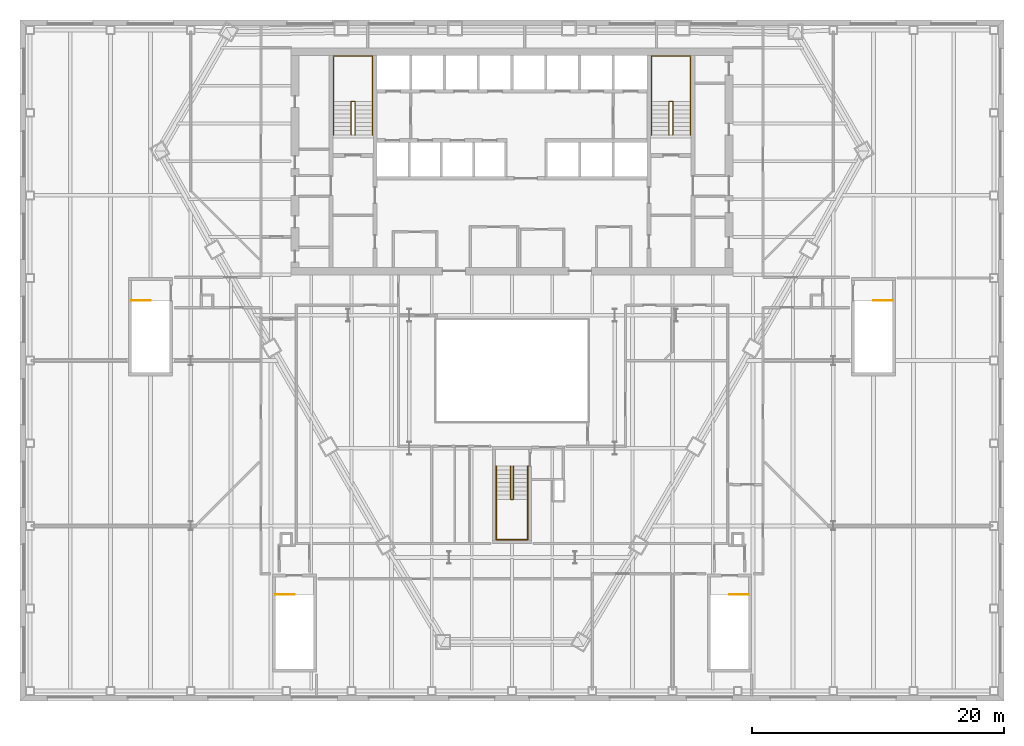
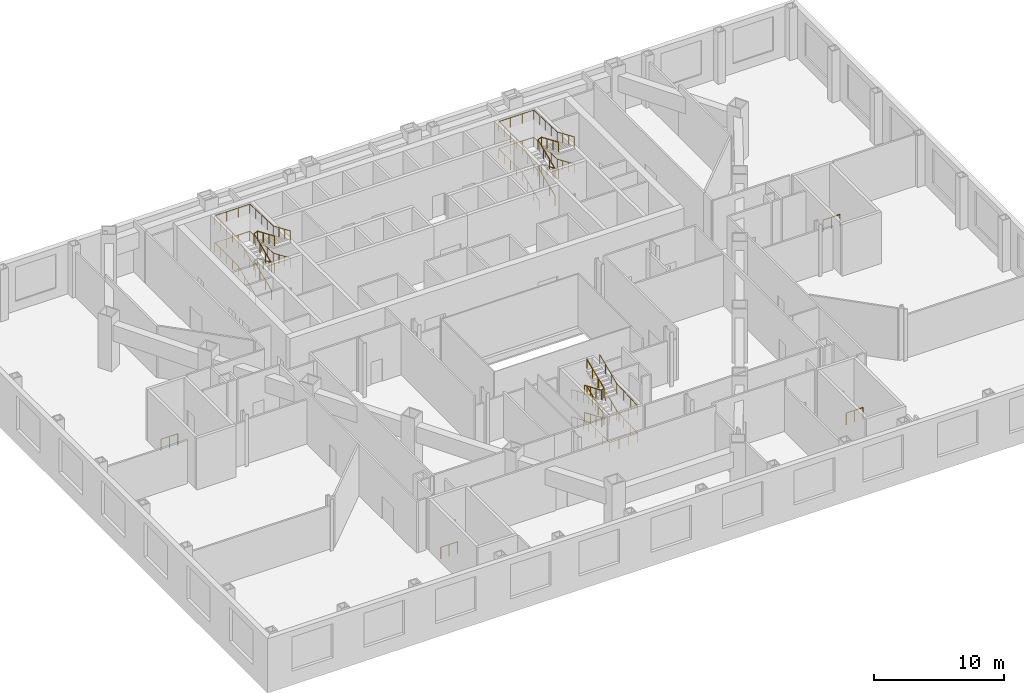
# One storey, part 17 of 17: 16 railings.
"""IFC4 building model written with IfcOpenShell, lengths in metres."""

from ifc_helpers import new_model, si_unit, direction, frame, origin, origin_2d, place, context, subcontext, project, spatial, circle, extrude, material, type_object, element, save


model = new_model("IFC4")

# Units and contexts
model_context = context("Model", 3, precision=1e-05, world=origin(), true_north=direction((0.0, 1.0)))
body_context = subcontext(model_context, "Body", "Model", "MODEL_VIEW")
ifc_project = project(units=[si_unit("LENGTHUNIT", "METRE"), si_unit("AREAUNIT", "SQUARE_METRE"), si_unit("VOLUMEUNIT", "CUBIC_METRE"), si_unit("PLANEANGLEUNIT", "RADIAN"), si_unit("MASSUNIT", "GRAM", prefix="KILO")], contexts=[model_context])

# Site, building, storey
site_placement = place(None, origin())
site = spatial("IfcSite", under=ifc_project, at=site_placement, CompositionType="ELEMENT")
building_placement = place(site_placement, origin())
building = spatial("IfcBuilding", under=site, at=building_placement, Name="Njiva Tower", CompositionType="ELEMENT")
storey_placement = place(building_placement, frame((0.0, 0.0, 23.7)))
storey = spatial("IfcBuildingStorey", under=building, at=storey_placement, Name="L04", CompositionType="ELEMENT", Elevation=23.7)

# Railings
ifc_material = material(Name="Stainless steel", Category="steel")
railing_type_1 = type_object("IfcRailingType", Name="RL1 Stair handrail 900", PredefinedType="HANDRAIL", material=ifc_material)
railing_1_placement = place(storey_placement, frame((-14.15, 11.1, 0.1417)))
element("IfcRailing", 1, at=railing_1_placement, inside=storey, type_object=railing_type_1, Name="Stair A handrail", PredefinedType="HANDRAIL", context=body_context, shape_type="SweptSolid", body=[
    extrude(circle(Radius=0.024, at=origin_2d()), frame((0.0, 0.0, 0.876), z_axis=(0.0, 0.918909016762, 0.394469541173), x_axis=(-1.0, 0.0, 0.0)), (0.0, 0.0, 1.0), 2.873),
    extrude(circle(Radius=0.024, at=origin_2d()), frame((0.0, 2.64, 2.0093), z_axis=(0.0, 1.0, 0.0), x_axis=(-1.0, 0.0, 0.0)), (0.0, 0.0, 1.0), 3.61),
    extrude(circle(Radius=0.024, at=origin_2d()), frame((0.0, 6.25, 2.0093), z_axis=(1.0, 0.0, 0.0), x_axis=(0.0, 1.0, 0.0)), (0.0, 0.0, 1.0), 3.1),
    extrude(circle(Radius=0.024, at=origin_2d()), frame((3.1, 6.25, 2.0093), z_axis=(0.0, -0.99923052625, 0.039221874119), x_axis=(1.0, 0.0, 0.0)), (0.0, 0.0, 1.0), 3.6128),
    extrude(circle(Radius=0.024, at=origin_2d()), frame((3.1, 2.64, 2.151), z_axis=(0.0, -0.918909016762, 0.394469541173), x_axis=(1.0, 0.0, 0.0)), (0.0, 0.0, 1.0), 2.873),
    extrude(circle(Radius=0.021, at=origin_2d()), origin(), (0.0, 0.0, 1.0), 0.852),
    extrude(circle(Radius=0.021, at=origin_2d()), frame((0.0, 0.88, 0.3778)), (0.0, 0.0, 1.0), 0.852),
    extrude(circle(Radius=0.021, at=origin_2d()), frame((0.0, 1.76, 0.7555)), (0.0, 0.0, 1.0), 0.852),
    extrude(circle(Radius=0.021, at=origin_2d()), frame((0.0, 2.64, 1.1333)), (0.0, 0.0, 1.0), 0.852),
    extrude(circle(Radius=0.021, at=origin_2d()), frame((0.0, 3.5425, 1.1333)), (0.0, 0.0, 1.0), 0.852),
    extrude(circle(Radius=0.021, at=origin_2d()), frame((0.0, 4.445, 1.1333)), (0.0, 0.0, 1.0), 0.852),
    extrude(circle(Radius=0.021, at=origin_2d()), frame((0.0, 5.3475, 1.1333)), (0.0, 0.0, 1.0), 0.852),
    extrude(circle(Radius=0.021, at=origin_2d()), frame((0.0, 6.25, 1.1333)), (0.0, 0.0, 1.0), 0.852),
    extrude(circle(Radius=0.021, at=origin_2d()), frame((1.0333, 6.25, 1.1333)), (0.0, 0.0, 1.0), 0.852),
    extrude(circle(Radius=0.021, at=origin_2d()), frame((2.0667, 6.25, 1.1333)), (0.0, 0.0, 1.0), 0.852),
    extrude(circle(Radius=0.021, at=origin_2d()), frame((3.1, 6.25, 1.1333)), (0.0, 0.0, 1.0), 0.852),
    extrude(circle(Radius=0.021, at=origin_2d()), frame((3.1, 5.3475, 1.1687)), (0.0, 0.0, 1.0), 0.852),
    extrude(circle(Radius=0.021, at=origin_2d()), frame((3.1, 4.445, 1.2042)), (0.0, 0.0, 1.0), 0.852),
    extrude(circle(Radius=0.021, at=origin_2d()), frame((3.1, 3.5425, 1.2396)), (0.0, 0.0, 1.0), 0.852),
    extrude(circle(Radius=0.021, at=origin_2d()), frame((3.1, 2.64, 1.275)), (0.0, 0.0, 1.0), 0.852),
    extrude(circle(Radius=0.021, at=origin_2d()), frame((3.1, 1.76, 1.6528)), (0.0, 0.0, 1.0), 0.852),
    extrude(circle(Radius=0.021, at=origin_2d()), frame((3.1, 0.88, 2.0305)), (0.0, 0.0, 1.0), 0.852),
    extrude(circle(Radius=0.021, at=origin_2d()), frame((3.1, 0.0, 2.4083)), (0.0, 0.0, 1.0), 0.852),
])
railing_2_placement = place(storey_placement, frame((-12.75, 11.1, 0.1417)))
element("IfcRailing", 2, at=railing_2_placement, inside=storey, type_object=railing_type_1, Name="Stair A handrail", PredefinedType="HANDRAIL", context=body_context, shape_type="SweptSolid", body=[
    extrude(circle(Radius=0.024, at=origin_2d()), frame((0.0, 0.0, 0.876), z_axis=(0.0, 0.918909016762, 0.394469541173), x_axis=(-1.0, 0.0, 0.0)), (0.0, 0.0, 1.0), 2.873),
    extrude(circle(Radius=0.024, at=origin_2d()), frame((0.0, 2.64, 2.0093), z_axis=(0.904209850415, 0.0, 0.427088452679), x_axis=(0.0, 1.0, 0.0)), (0.0, 0.0, 1.0), 0.3318),
    extrude(circle(Radius=0.024, at=origin_2d()), frame((0.3, 2.64, 2.151), z_axis=(0.0, -0.918909016762, 0.394469541173), x_axis=(1.0, 0.0, 0.0)), (0.0, 0.0, 1.0), 2.873),
    extrude(circle(Radius=0.021, at=origin_2d()), origin(), (0.0, 0.0, 1.0), 0.852),
    extrude(circle(Radius=0.021, at=origin_2d()), frame((0.0, 0.88, 0.3778)), (0.0, 0.0, 1.0), 0.852),
    extrude(circle(Radius=0.021, at=origin_2d()), frame((0.0, 1.76, 0.7555)), (0.0, 0.0, 1.0), 0.852),
    extrude(circle(Radius=0.021, at=origin_2d()), frame((0.0, 2.64, 1.1333)), (0.0, 0.0, 1.0), 0.852),
    extrude(circle(Radius=0.021, at=origin_2d()), frame((0.3, 2.64, 1.275)), (0.0, 0.0, 1.0), 0.852),
    extrude(circle(Radius=0.021, at=origin_2d()), frame((0.3, 1.76, 1.6528)), (0.0, 0.0, 1.0), 0.852),
    extrude(circle(Radius=0.021, at=origin_2d()), frame((0.3, 0.88, 2.0305)), (0.0, 0.0, 1.0), 0.852),
    extrude(circle(Radius=0.021, at=origin_2d()), frame((0.3, 0.0, 2.4083)), (0.0, 0.0, 1.0), 0.852),
])
railing_3_placement = place(storey_placement, frame((-14.15, 11.1, 2.6917)))
element("IfcRailing", 3, at=railing_3_placement, inside=storey, type_object=railing_type_1, Name="Stair A handrail", PredefinedType="HANDRAIL", context=body_context, shape_type="SweptSolid", body=[
    extrude(circle(Radius=0.024, at=origin_2d()), frame((0.0, 0.0, 0.876), z_axis=(0.0, 0.918909016762, 0.394469541173), x_axis=(-1.0, 0.0, 0.0)), (0.0, 0.0, 1.0), 2.873),
    extrude(circle(Radius=0.024, at=origin_2d()), frame((0.0, 2.64, 2.0093), z_axis=(0.0, 1.0, 0.0), x_axis=(-1.0, 0.0, 0.0)), (0.0, 0.0, 1.0), 3.61),
    extrude(circle(Radius=0.024, at=origin_2d()), frame((0.0, 6.25, 2.0093), z_axis=(1.0, 0.0, 0.0), x_axis=(0.0, 1.0, 0.0)), (0.0, 0.0, 1.0), 3.1),
    extrude(circle(Radius=0.024, at=origin_2d()), frame((3.1, 6.25, 2.0093), z_axis=(0.0, -0.99923052625, 0.039221874119), x_axis=(1.0, 0.0, 0.0)), (0.0, 0.0, 1.0), 3.6128),
    extrude(circle(Radius=0.024, at=origin_2d()), frame((3.1, 2.64, 2.151), z_axis=(0.0, -0.918909016762, 0.394469541173), x_axis=(1.0, 0.0, 0.0)), (0.0, 0.0, 1.0), 2.873),
    extrude(circle(Radius=0.021, at=origin_2d()), origin(), (0.0, 0.0, 1.0), 0.852),
    extrude(circle(Radius=0.021, at=origin_2d()), frame((0.0, 0.88, 0.3778)), (0.0, 0.0, 1.0), 0.852),
    extrude(circle(Radius=0.021, at=origin_2d()), frame((0.0, 1.76, 0.7555)), (0.0, 0.0, 1.0), 0.852),
    extrude(circle(Radius=0.021, at=origin_2d()), frame((0.0, 2.64, 1.1333)), (0.0, 0.0, 1.0), 0.852),
    extrude(circle(Radius=0.021, at=origin_2d()), frame((0.0, 3.5425, 1.1333)), (0.0, 0.0, 1.0), 0.852),
    extrude(circle(Radius=0.021, at=origin_2d()), frame((0.0, 4.445, 1.1333)), (0.0, 0.0, 1.0), 0.852),
    extrude(circle(Radius=0.021, at=origin_2d()), frame((0.0, 5.3475, 1.1333)), (0.0, 0.0, 1.0), 0.852),
    extrude(circle(Radius=0.021, at=origin_2d()), frame((0.0, 6.25, 1.1333)), (0.0, 0.0, 1.0), 0.852),
    extrude(circle(Radius=0.021, at=origin_2d()), frame((1.0333, 6.25, 1.1333)), (0.0, 0.0, 1.0), 0.852),
    extrude(circle(Radius=0.021, at=origin_2d()), frame((2.0667, 6.25, 1.1333)), (0.0, 0.0, 1.0), 0.852),
    extrude(circle(Radius=0.021, at=origin_2d()), frame((3.1, 6.25, 1.1333)), (0.0, 0.0, 1.0), 0.852),
    extrude(circle(Radius=0.021, at=origin_2d()), frame((3.1, 5.3475, 1.1687)), (0.0, 0.0, 1.0), 0.852),
    extrude(circle(Radius=0.021, at=origin_2d()), frame((3.1, 4.445, 1.2041)), (0.0, 0.0, 1.0), 0.852),
    extrude(circle(Radius=0.021, at=origin_2d()), frame((3.1, 3.5425, 1.2396)), (0.0, 0.0, 1.0), 0.852),
    extrude(circle(Radius=0.021, at=origin_2d()), frame((3.1, 2.64, 1.275)), (0.0, 0.0, 1.0), 0.852),
    extrude(circle(Radius=0.021, at=origin_2d()), frame((3.1, 1.76, 1.6528)), (0.0, 0.0, 1.0), 0.852),
    extrude(circle(Radius=0.021, at=origin_2d()), frame((3.1, 0.88, 2.0305)), (0.0, 0.0, 1.0), 0.852),
    extrude(circle(Radius=0.021, at=origin_2d()), frame((3.1, 0.0, 2.4083)), (0.0, 0.0, 1.0), 0.852),
])
railing_4_placement = place(storey_placement, frame((-12.75, 11.1, 2.6917)))
element("IfcRailing", 4, at=railing_4_placement, inside=storey, type_object=railing_type_1, Name="Stair A handrail", PredefinedType="HANDRAIL", context=body_context, shape_type="SweptSolid", body=[
    extrude(circle(Radius=0.024, at=origin_2d()), frame((0.0, 0.0, 0.876), z_axis=(0.0, 0.918909016762, 0.394469541173), x_axis=(-1.0, 0.0, 0.0)), (0.0, 0.0, 1.0), 2.873),
    extrude(circle(Radius=0.024, at=origin_2d()), frame((0.0, 2.64, 2.0093), z_axis=(0.904209850415, 0.0, 0.427088452679), x_axis=(0.0, 1.0, 0.0)), (0.0, 0.0, 1.0), 0.3318),
    extrude(circle(Radius=0.024, at=origin_2d()), frame((0.3, 2.64, 2.151), z_axis=(0.0, -0.918909016762, 0.394469541173), x_axis=(1.0, 0.0, 0.0)), (0.0, 0.0, 1.0), 2.873),
    extrude(circle(Radius=0.021, at=origin_2d()), origin(), (0.0, 0.0, 1.0), 0.852),
    extrude(circle(Radius=0.021, at=origin_2d()), frame((0.0, 0.88, 0.3778)), (0.0, 0.0, 1.0), 0.852),
    extrude(circle(Radius=0.021, at=origin_2d()), frame((0.0, 1.76, 0.7555)), (0.0, 0.0, 1.0), 0.852),
    extrude(circle(Radius=0.021, at=origin_2d()), frame((0.0, 2.64, 1.1333)), (0.0, 0.0, 1.0), 0.852),
    extrude(circle(Radius=0.021, at=origin_2d()), frame((0.3, 2.64, 1.275)), (0.0, 0.0, 1.0), 0.852),
    extrude(circle(Radius=0.021, at=origin_2d()), frame((0.3, 1.76, 1.6528)), (0.0, 0.0, 1.0), 0.852),
    extrude(circle(Radius=0.021, at=origin_2d()), frame((0.3, 0.88, 2.0305)), (0.0, 0.0, 1.0), 0.852),
    extrude(circle(Radius=0.021, at=origin_2d()), frame((0.3, 0.0, 2.4083)), (0.0, 0.0, 1.0), 0.852),
])
railing_5_placement = place(storey_placement, frame((11.05, 11.1, 0.1417)))
element("IfcRailing", 5, at=railing_5_placement, inside=storey, type_object=railing_type_1, Name="Stair B handrail", PredefinedType="HANDRAIL", context=body_context, shape_type="SweptSolid", body=[
    extrude(circle(Radius=0.024, at=origin_2d()), frame((0.0, 0.0, 0.876), z_axis=(0.0, 0.918909016762, 0.394469541173), x_axis=(-1.0, 0.0, 0.0)), (0.0, 0.0, 1.0), 2.873),
    extrude(circle(Radius=0.024, at=origin_2d()), frame((0.0, 2.64, 2.0093), z_axis=(0.0, 1.0, 0.0), x_axis=(-1.0, 0.0, 0.0)), (0.0, 0.0, 1.0), 3.61),
    extrude(circle(Radius=0.024, at=origin_2d()), frame((0.0, 6.25, 2.0093), z_axis=(1.0, 0.0, 0.0), x_axis=(0.0, 1.0, 0.0)), (0.0, 0.0, 1.0), 3.1),
    extrude(circle(Radius=0.024, at=origin_2d()), frame((3.1, 6.25, 2.0093), z_axis=(0.0, -0.99923052625, 0.039221874119), x_axis=(1.0, 0.0, 0.0)), (0.0, 0.0, 1.0), 3.6128),
    extrude(circle(Radius=0.024, at=origin_2d()), frame((3.1, 2.64, 2.151), z_axis=(0.0, -0.918909016762, 0.394469541173), x_axis=(1.0, 0.0, 0.0)), (0.0, 0.0, 1.0), 2.873),
    extrude(circle(Radius=0.021, at=origin_2d()), origin(), (0.0, 0.0, 1.0), 0.852),
    extrude(circle(Radius=0.021, at=origin_2d()), frame((0.0, 0.88, 0.3778)), (0.0, 0.0, 1.0), 0.852),
    extrude(circle(Radius=0.021, at=origin_2d()), frame((0.0, 1.76, 0.7555)), (0.0, 0.0, 1.0), 0.852),
    extrude(circle(Radius=0.021, at=origin_2d()), frame((0.0, 2.64, 1.1333)), (0.0, 0.0, 1.0), 0.852),
    extrude(circle(Radius=0.021, at=origin_2d()), frame((0.0, 3.5425, 1.1333)), (0.0, 0.0, 1.0), 0.852),
    extrude(circle(Radius=0.021, at=origin_2d()), frame((0.0, 4.445, 1.1333)), (0.0, 0.0, 1.0), 0.852),
    extrude(circle(Radius=0.021, at=origin_2d()), frame((0.0, 5.3475, 1.1333)), (0.0, 0.0, 1.0), 0.852),
    extrude(circle(Radius=0.021, at=origin_2d()), frame((0.0, 6.25, 1.1333)), (0.0, 0.0, 1.0), 0.852),
    extrude(circle(Radius=0.021, at=origin_2d()), frame((1.0333, 6.25, 1.1333)), (0.0, 0.0, 1.0), 0.852),
    extrude(circle(Radius=0.021, at=origin_2d()), frame((2.0667, 6.25, 1.1333)), (0.0, 0.0, 1.0), 0.852),
    extrude(circle(Radius=0.021, at=origin_2d()), frame((3.1, 6.25, 1.1333)), (0.0, 0.0, 1.0), 0.852),
    extrude(circle(Radius=0.021, at=origin_2d()), frame((3.1, 5.3475, 1.1687)), (0.0, 0.0, 1.0), 0.852),
    extrude(circle(Radius=0.021, at=origin_2d()), frame((3.1, 4.445, 1.2042)), (0.0, 0.0, 1.0), 0.852),
    extrude(circle(Radius=0.021, at=origin_2d()), frame((3.1, 3.5425, 1.2396)), (0.0, 0.0, 1.0), 0.852),
    extrude(circle(Radius=0.021, at=origin_2d()), frame((3.1, 2.64, 1.275)), (0.0, 0.0, 1.0), 0.852),
    extrude(circle(Radius=0.021, at=origin_2d()), frame((3.1, 1.76, 1.6528)), (0.0, 0.0, 1.0), 0.852),
    extrude(circle(Radius=0.021, at=origin_2d()), frame((3.1, 0.88, 2.0305)), (0.0, 0.0, 1.0), 0.852),
    extrude(circle(Radius=0.021, at=origin_2d()), frame((3.1, 0.0, 2.4083)), (0.0, 0.0, 1.0), 0.852),
])
railing_6_placement = place(storey_placement, frame((12.45, 11.1, 0.1417)))
element("IfcRailing", 6, at=railing_6_placement, inside=storey, type_object=railing_type_1, Name="Stair B handrail", PredefinedType="HANDRAIL", context=body_context, shape_type="SweptSolid", body=[
    extrude(circle(Radius=0.024, at=origin_2d()), frame((0.0, 0.0, 0.876), z_axis=(0.0, 0.918909016762, 0.394469541173), x_axis=(-1.0, 0.0, 0.0)), (0.0, 0.0, 1.0), 2.873),
    extrude(circle(Radius=0.024, at=origin_2d()), frame((0.0, 2.64, 2.0093), z_axis=(0.904209850415, 0.0, 0.427088452679), x_axis=(0.0, 1.0, 0.0)), (0.0, 0.0, 1.0), 0.3318),
    extrude(circle(Radius=0.024, at=origin_2d()), frame((0.3, 2.64, 2.151), z_axis=(0.0, -0.918909016762, 0.394469541173), x_axis=(1.0, 0.0, 0.0)), (0.0, 0.0, 1.0), 2.873),
    extrude(circle(Radius=0.021, at=origin_2d()), origin(), (0.0, 0.0, 1.0), 0.852),
    extrude(circle(Radius=0.021, at=origin_2d()), frame((0.0, 0.88, 0.3778)), (0.0, 0.0, 1.0), 0.852),
    extrude(circle(Radius=0.021, at=origin_2d()), frame((0.0, 1.76, 0.7555)), (0.0, 0.0, 1.0), 0.852),
    extrude(circle(Radius=0.021, at=origin_2d()), frame((0.0, 2.64, 1.1333)), (0.0, 0.0, 1.0), 0.852),
    extrude(circle(Radius=0.021, at=origin_2d()), frame((0.3, 2.64, 1.275)), (0.0, 0.0, 1.0), 0.852),
    extrude(circle(Radius=0.021, at=origin_2d()), frame((0.3, 1.76, 1.6528)), (0.0, 0.0, 1.0), 0.852),
    extrude(circle(Radius=0.021, at=origin_2d()), frame((0.3, 0.88, 2.0305)), (0.0, 0.0, 1.0), 0.852),
    extrude(circle(Radius=0.021, at=origin_2d()), frame((0.3, 0.0, 2.4083)), (0.0, 0.0, 1.0), 0.852),
])
railing_7_placement = place(storey_placement, frame((11.05, 11.1, 2.6917)))
element("IfcRailing", 7, at=railing_7_placement, inside=storey, type_object=railing_type_1, Name="Stair B handrail", PredefinedType="HANDRAIL", context=body_context, shape_type="SweptSolid", body=[
    extrude(circle(Radius=0.024, at=origin_2d()), frame((0.0, 0.0, 0.876), z_axis=(0.0, 0.918909016762, 0.394469541173), x_axis=(-1.0, 0.0, 0.0)), (0.0, 0.0, 1.0), 2.873),
    extrude(circle(Radius=0.024, at=origin_2d()), frame((0.0, 2.64, 2.0093), z_axis=(0.0, 1.0, 0.0), x_axis=(-1.0, 0.0, 0.0)), (0.0, 0.0, 1.0), 3.61),
    extrude(circle(Radius=0.024, at=origin_2d()), frame((0.0, 6.25, 2.0093), z_axis=(1.0, 0.0, 0.0), x_axis=(0.0, 1.0, 0.0)), (0.0, 0.0, 1.0), 3.1),
    extrude(circle(Radius=0.024, at=origin_2d()), frame((3.1, 6.25, 2.0093), z_axis=(0.0, -0.99923052625, 0.039221874119), x_axis=(1.0, 0.0, 0.0)), (0.0, 0.0, 1.0), 3.6128),
    extrude(circle(Radius=0.024, at=origin_2d()), frame((3.1, 2.64, 2.151), z_axis=(0.0, -0.918909016762, 0.394469541173), x_axis=(1.0, 0.0, 0.0)), (0.0, 0.0, 1.0), 2.873),
    extrude(circle(Radius=0.021, at=origin_2d()), origin(), (0.0, 0.0, 1.0), 0.852),
    extrude(circle(Radius=0.021, at=origin_2d()), frame((0.0, 0.88, 0.3778)), (0.0, 0.0, 1.0), 0.852),
    extrude(circle(Radius=0.021, at=origin_2d()), frame((0.0, 1.76, 0.7555)), (0.0, 0.0, 1.0), 0.852),
    extrude(circle(Radius=0.021, at=origin_2d()), frame((0.0, 2.64, 1.1333)), (0.0, 0.0, 1.0), 0.852),
    extrude(circle(Radius=0.021, at=origin_2d()), frame((0.0, 3.5425, 1.1333)), (0.0, 0.0, 1.0), 0.852),
    extrude(circle(Radius=0.021, at=origin_2d()), frame((0.0, 4.445, 1.1333)), (0.0, 0.0, 1.0), 0.852),
    extrude(circle(Radius=0.021, at=origin_2d()), frame((0.0, 5.3475, 1.1333)), (0.0, 0.0, 1.0), 0.852),
    extrude(circle(Radius=0.021, at=origin_2d()), frame((0.0, 6.25, 1.1333)), (0.0, 0.0, 1.0), 0.852),
    extrude(circle(Radius=0.021, at=origin_2d()), frame((1.0333, 6.25, 1.1333)), (0.0, 0.0, 1.0), 0.852),
    extrude(circle(Radius=0.021, at=origin_2d()), frame((2.0667, 6.25, 1.1333)), (0.0, 0.0, 1.0), 0.852),
    extrude(circle(Radius=0.021, at=origin_2d()), frame((3.1, 6.25, 1.1333)), (0.0, 0.0, 1.0), 0.852),
    extrude(circle(Radius=0.021, at=origin_2d()), frame((3.1, 5.3475, 1.1687)), (0.0, 0.0, 1.0), 0.852),
    extrude(circle(Radius=0.021, at=origin_2d()), frame((3.1, 4.445, 1.2041)), (0.0, 0.0, 1.0), 0.852),
    extrude(circle(Radius=0.021, at=origin_2d()), frame((3.1, 3.5425, 1.2396)), (0.0, 0.0, 1.0), 0.852),
    extrude(circle(Radius=0.021, at=origin_2d()), frame((3.1, 2.64, 1.275)), (0.0, 0.0, 1.0), 0.852),
    extrude(circle(Radius=0.021, at=origin_2d()), frame((3.1, 1.76, 1.6528)), (0.0, 0.0, 1.0), 0.852),
    extrude(circle(Radius=0.021, at=origin_2d()), frame((3.1, 0.88, 2.0305)), (0.0, 0.0, 1.0), 0.852),
    extrude(circle(Radius=0.021, at=origin_2d()), frame((3.1, 0.0, 2.4083)), (0.0, 0.0, 1.0), 0.852),
])
railing_8_placement = place(storey_placement, frame((12.45, 11.1, 2.6917)))
element("IfcRailing", 8, at=railing_8_placement, inside=storey, type_object=railing_type_1, Name="Stair B handrail", PredefinedType="HANDRAIL", context=body_context, shape_type="SweptSolid", body=[
    extrude(circle(Radius=0.024, at=origin_2d()), frame((0.0, 0.0, 0.876), z_axis=(0.0, 0.918909016762, 0.394469541173), x_axis=(-1.0, 0.0, 0.0)), (0.0, 0.0, 1.0), 2.873),
    extrude(circle(Radius=0.024, at=origin_2d()), frame((0.0, 2.64, 2.0093), z_axis=(0.904209850415, 0.0, 0.427088452679), x_axis=(0.0, 1.0, 0.0)), (0.0, 0.0, 1.0), 0.3318),
    extrude(circle(Radius=0.024, at=origin_2d()), frame((0.3, 2.64, 2.151), z_axis=(0.0, -0.918909016762, 0.394469541173), x_axis=(1.0, 0.0, 0.0)), (0.0, 0.0, 1.0), 2.873),
    extrude(circle(Radius=0.021, at=origin_2d()), origin(), (0.0, 0.0, 1.0), 0.852),
    extrude(circle(Radius=0.021, at=origin_2d()), frame((0.0, 0.88, 0.3778)), (0.0, 0.0, 1.0), 0.852),
    extrude(circle(Radius=0.021, at=origin_2d()), frame((0.0, 1.76, 0.7555)), (0.0, 0.0, 1.0), 0.852),
    extrude(circle(Radius=0.021, at=origin_2d()), frame((0.0, 2.64, 1.1333)), (0.0, 0.0, 1.0), 0.852),
    extrude(circle(Radius=0.021, at=origin_2d()), frame((0.3, 2.64, 1.275)), (0.0, 0.0, 1.0), 0.852),
    extrude(circle(Radius=0.021, at=origin_2d()), frame((0.3, 1.76, 1.6528)), (0.0, 0.0, 1.0), 0.852),
    extrude(circle(Radius=0.021, at=origin_2d()), frame((0.3, 0.88, 2.0305)), (0.0, 0.0, 1.0), 0.852),
    extrude(circle(Radius=0.021, at=origin_2d()), frame((0.3, 0.0, 2.4083)), (0.0, 0.0, 1.0), 0.852),
])
railing_9_placement = place(storey_placement, frame((-1.25, -15.16, 0.1417)))
element("IfcRailing", 9, at=railing_9_placement, inside=storey, type_object=railing_type_1, Name="Stair C handrail", PredefinedType="HANDRAIL", context=body_context, shape_type="SweptSolid", body=[
    extrude(circle(Radius=0.024, at=origin_2d()), frame((0.0, 0.0, 0.876), z_axis=(0.0, -0.918909016762, 0.394469541173), x_axis=(1.0, 0.0, 0.0)), (0.0, 0.0, 1.0), 2.873),
    extrude(circle(Radius=0.024, at=origin_2d()), frame((0.0, -2.64, 2.0093), z_axis=(0.0, -1.0, 0.0), x_axis=(1.0, 0.0, 0.0)), (0.0, 0.0, 1.0), 3.2),
    extrude(circle(Radius=0.024, at=origin_2d()), frame((0.0, -5.84, 2.0093), z_axis=(1.0, 0.0, 0.0), x_axis=(0.0, 1.0, 0.0)), (0.0, 0.0, 1.0), 2.5),
    extrude(circle(Radius=0.024, at=origin_2d()), frame((2.5, -5.84, 2.0093), z_axis=(0.0, 0.999021024916, 0.04423789976), x_axis=(-1.0, 0.0, 0.0)), (0.0, 0.0, 1.0), 3.2031),
    extrude(circle(Radius=0.024, at=origin_2d()), frame((2.5, -2.64, 2.151), z_axis=(0.0, 0.918909016762, 0.394469541173), x_axis=(-1.0, 0.0, 0.0)), (0.0, 0.0, 1.0), 2.873),
    extrude(circle(Radius=0.021, at=origin_2d()), origin(), (0.0, 0.0, 1.0), 0.852),
    extrude(circle(Radius=0.021, at=origin_2d()), frame((0.0, -0.88, 0.3778)), (0.0, 0.0, 1.0), 0.852),
    extrude(circle(Radius=0.021, at=origin_2d()), frame((0.0, -1.76, 0.7555)), (0.0, 0.0, 1.0), 0.852),
    extrude(circle(Radius=0.021, at=origin_2d()), frame((0.0, -2.64, 1.1333)), (0.0, 0.0, 1.0), 0.852),
    extrude(circle(Radius=0.021, at=origin_2d()), frame((0.0, -3.7067, 1.1333)), (0.0, 0.0, 1.0), 0.852),
    extrude(circle(Radius=0.021, at=origin_2d()), frame((0.0, -4.7733, 1.1333)), (0.0, 0.0, 1.0), 0.852),
    extrude(circle(Radius=0.021, at=origin_2d()), frame((0.0, -5.84, 1.1333)), (0.0, 0.0, 1.0), 0.852),
    extrude(circle(Radius=0.021, at=origin_2d()), frame((0.8333, -5.84, 1.1333)), (0.0, 0.0, 1.0), 0.852),
    extrude(circle(Radius=0.021, at=origin_2d()), frame((1.6667, -5.84, 1.1333)), (0.0, 0.0, 1.0), 0.852),
    extrude(circle(Radius=0.021, at=origin_2d()), frame((2.5, -5.84, 1.1333)), (0.0, 0.0, 1.0), 0.852),
    extrude(circle(Radius=0.021, at=origin_2d()), frame((2.5, -4.7733, 1.1805)), (0.0, 0.0, 1.0), 0.852),
    extrude(circle(Radius=0.021, at=origin_2d()), frame((2.5, -3.7067, 1.2278)), (0.0, 0.0, 1.0), 0.852),
    extrude(circle(Radius=0.021, at=origin_2d()), frame((2.5, -2.64, 1.275)), (0.0, 0.0, 1.0), 0.852),
    extrude(circle(Radius=0.021, at=origin_2d()), frame((2.5, -1.76, 1.6528)), (0.0, 0.0, 1.0), 0.852),
    extrude(circle(Radius=0.021, at=origin_2d()), frame((2.5, -0.88, 2.0305)), (0.0, 0.0, 1.0), 0.852),
    extrude(circle(Radius=0.021, at=origin_2d()), frame((2.5, 0.0, 2.4083)), (0.0, 0.0, 1.0), 0.852),
])
railing_10_placement = place(storey_placement, frame((-0.1, -15.16, 0.1417)))
element("IfcRailing", 10, at=railing_10_placement, inside=storey, type_object=railing_type_1, Name="Stair C handrail", PredefinedType="HANDRAIL", context=body_context, shape_type="SweptSolid", body=[
    extrude(circle(Radius=0.024, at=origin_2d()), frame((0.0, 0.0, 0.876), z_axis=(0.0, -0.918909016762, 0.394469541173), x_axis=(1.0, 0.0, 0.0)), (0.0, 0.0, 1.0), 2.873),
    extrude(circle(Radius=0.024, at=origin_2d()), frame((0.0, -2.64, 2.0093), z_axis=(0.815960331218, 0.0, 0.578107894668), x_axis=(0.0, 1.0, 0.0)), (0.0, 0.0, 1.0), 0.2451),
    extrude(circle(Radius=0.024, at=origin_2d()), frame((0.2, -2.64, 2.151), z_axis=(0.0, 0.918909016762, 0.394469541173), x_axis=(-1.0, 0.0, 0.0)), (0.0, 0.0, 1.0), 2.873),
    extrude(circle(Radius=0.021, at=origin_2d()), origin(), (0.0, 0.0, 1.0), 0.852),
    extrude(circle(Radius=0.021, at=origin_2d()), frame((0.0, -0.88, 0.3778)), (0.0, 0.0, 1.0), 0.852),
    extrude(circle(Radius=0.021, at=origin_2d()), frame((0.0, -1.76, 0.7555)), (0.0, 0.0, 1.0), 0.852),
    extrude(circle(Radius=0.021, at=origin_2d()), frame((0.0, -2.64, 1.1333)), (0.0, 0.0, 1.0), 0.852),
    extrude(circle(Radius=0.021, at=origin_2d()), frame((0.2, -2.64, 1.275)), (0.0, 0.0, 1.0), 0.852),
    extrude(circle(Radius=0.021, at=origin_2d()), frame((0.2, -1.76, 1.6528)), (0.0, 0.0, 1.0), 0.852),
    extrude(circle(Radius=0.021, at=origin_2d()), frame((0.2, -0.88, 2.0305)), (0.0, 0.0, 1.0), 0.852),
    extrude(circle(Radius=0.021, at=origin_2d()), frame((0.2, 0.0, 2.4083)), (0.0, 0.0, 1.0), 0.852),
])
railing_11_placement = place(storey_placement, frame((-1.25, -15.16, 2.6917)))
element("IfcRailing", 11, at=railing_11_placement, inside=storey, type_object=railing_type_1, Name="Stair C handrail", PredefinedType="HANDRAIL", context=body_context, shape_type="SweptSolid", body=[
    extrude(circle(Radius=0.024, at=origin_2d()), frame((0.0, 0.0, 0.876), z_axis=(0.0, -0.918909016762, 0.394469541173), x_axis=(1.0, 0.0, 0.0)), (0.0, 0.0, 1.0), 2.873),
    extrude(circle(Radius=0.024, at=origin_2d()), frame((0.0, -2.64, 2.0093), z_axis=(0.0, -1.0, 0.0), x_axis=(1.0, 0.0, 0.0)), (0.0, 0.0, 1.0), 3.2),
    extrude(circle(Radius=0.024, at=origin_2d()), frame((0.0, -5.84, 2.0093), z_axis=(1.0, 0.0, 0.0), x_axis=(0.0, 1.0, 0.0)), (0.0, 0.0, 1.0), 2.5),
    extrude(circle(Radius=0.024, at=origin_2d()), frame((2.5, -5.84, 2.0093), z_axis=(0.0, 0.999021024916, 0.04423789976), x_axis=(-1.0, 0.0, 0.0)), (0.0, 0.0, 1.0), 3.2031),
    extrude(circle(Radius=0.024, at=origin_2d()), frame((2.5, -2.64, 2.151), z_axis=(0.0, 0.918909016762, 0.394469541173), x_axis=(-1.0, 0.0, 0.0)), (0.0, 0.0, 1.0), 2.873),
    extrude(circle(Radius=0.021, at=origin_2d()), origin(), (0.0, 0.0, 1.0), 0.852),
    extrude(circle(Radius=0.021, at=origin_2d()), frame((0.0, -0.88, 0.3778)), (0.0, 0.0, 1.0), 0.852),
    extrude(circle(Radius=0.021, at=origin_2d()), frame((0.0, -1.76, 0.7555)), (0.0, 0.0, 1.0), 0.852),
    extrude(circle(Radius=0.021, at=origin_2d()), frame((0.0, -2.64, 1.1333)), (0.0, 0.0, 1.0), 0.852),
    extrude(circle(Radius=0.021, at=origin_2d()), frame((0.0, -3.7067, 1.1333)), (0.0, 0.0, 1.0), 0.852),
    extrude(circle(Radius=0.021, at=origin_2d()), frame((0.0, -4.7733, 1.1333)), (0.0, 0.0, 1.0), 0.852),
    extrude(circle(Radius=0.021, at=origin_2d()), frame((0.0, -5.84, 1.1333)), (0.0, 0.0, 1.0), 0.852),
    extrude(circle(Radius=0.021, at=origin_2d()), frame((0.8333, -5.84, 1.1333)), (0.0, 0.0, 1.0), 0.852),
    extrude(circle(Radius=0.021, at=origin_2d()), frame((1.6667, -5.84, 1.1333)), (0.0, 0.0, 1.0), 0.852),
    extrude(circle(Radius=0.021, at=origin_2d()), frame((2.5, -5.84, 1.1333)), (0.0, 0.0, 1.0), 0.852),
    extrude(circle(Radius=0.021, at=origin_2d()), frame((2.5, -4.7733, 1.1805)), (0.0, 0.0, 1.0), 0.852),
    extrude(circle(Radius=0.021, at=origin_2d()), frame((2.5, -3.7067, 1.2278)), (0.0, 0.0, 1.0), 0.852),
    extrude(circle(Radius=0.021, at=origin_2d()), frame((2.5, -2.64, 1.275)), (0.0, 0.0, 1.0), 0.852),
    extrude(circle(Radius=0.021, at=origin_2d()), frame((2.5, -1.76, 1.6528)), (0.0, 0.0, 1.0), 0.852),
    extrude(circle(Radius=0.021, at=origin_2d()), frame((2.5, -0.88, 2.0305)), (0.0, 0.0, 1.0), 0.852),
    extrude(circle(Radius=0.021, at=origin_2d()), frame((2.5, 0.0, 2.4083)), (0.0, 0.0, 1.0), 0.852),
])
railing_12_placement = place(storey_placement, frame((-0.1, -15.16, 2.6917)))
element("IfcRailing", 12, at=railing_12_placement, inside=storey, type_object=railing_type_1, Name="Stair C handrail", PredefinedType="HANDRAIL", context=body_context, shape_type="SweptSolid", body=[
    extrude(circle(Radius=0.024, at=origin_2d()), frame((0.0, 0.0, 0.876), z_axis=(0.0, -0.918909016762, 0.394469541173), x_axis=(1.0, 0.0, 0.0)), (0.0, 0.0, 1.0), 2.873),
    extrude(circle(Radius=0.024, at=origin_2d()), frame((0.0, -2.64, 2.0093), z_axis=(0.815960331218, 0.0, 0.578107894668), x_axis=(0.0, 1.0, 0.0)), (0.0, 0.0, 1.0), 0.2451),
    extrude(circle(Radius=0.024, at=origin_2d()), frame((0.2, -2.64, 2.151), z_axis=(0.0, 0.918909016762, 0.394469541173), x_axis=(-1.0, 0.0, 0.0)), (0.0, 0.0, 1.0), 2.873),
    extrude(circle(Radius=0.021, at=origin_2d()), origin(), (0.0, 0.0, 1.0), 0.852),
    extrude(circle(Radius=0.021, at=origin_2d()), frame((0.0, -0.88, 0.3778)), (0.0, 0.0, 1.0), 0.852),
    extrude(circle(Radius=0.021, at=origin_2d()), frame((0.0, -1.76, 0.7555)), (0.0, 0.0, 1.0), 0.852),
    extrude(circle(Radius=0.021, at=origin_2d()), frame((0.0, -2.64, 1.1333)), (0.0, 0.0, 1.0), 0.852),
    extrude(circle(Radius=0.021, at=origin_2d()), frame((0.2, -2.64, 1.275)), (0.0, 0.0, 1.0), 0.852),
    extrude(circle(Radius=0.021, at=origin_2d()), frame((0.2, -1.76, 1.6528)), (0.0, 0.0, 1.0), 0.852),
    extrude(circle(Radius=0.021, at=origin_2d()), frame((0.2, -0.88, 2.0305)), (0.0, 0.0, 1.0), 0.852),
    extrude(circle(Radius=0.021, at=origin_2d()), frame((0.2, 0.0, 2.4083)), (0.0, 0.0, 1.0), 0.852),
])
railing_type_2 = type_object("IfcRailingType", Name="RL2 Stair guard 1100", PredefinedType="GUARDRAIL", material=ifc_material)
for number, where, name in (
    (13, (-18.75, -25.35, 0.0), "Stair D top guard"),
    (14, (17.25, -25.35, 0.0), "Stair E top guard"),
    (15, (-30.15, -2.05, 0.0), "Stair F top guard"),
    (16, (28.65, -2.05, 0.0), "Stair G top guard"),
):
    element("IfcRailing", number, at=place(storey_placement, frame(where)), inside=storey, type_object=railing_type_2, Name=name, PredefinedType="GUARDRAIL", context=body_context, shape_type="SweptSolid", body=[
        extrude(circle(Radius=0.024, at=origin_2d()), frame((0.0, 0.0, 1.076), z_axis=(1.0, 0.0, 0.0), x_axis=(0.0, 1.0, 0.0)), (0.0, 0.0, 1.0), 1.5),
        extrude(circle(Radius=0.021, at=origin_2d()), origin(), (0.0, 0.0, 1.0), 1.052),
        extrude(circle(Radius=0.021, at=origin_2d()), frame((0.75, 0.0, 0.0)), (0.0, 0.0, 1.0), 1.052),
        extrude(circle(Radius=0.021, at=origin_2d()), frame((1.5, 0.0, 0.0)), (0.0, 0.0, 1.0), 1.052),
    ])

save(model, "model.ifc")
